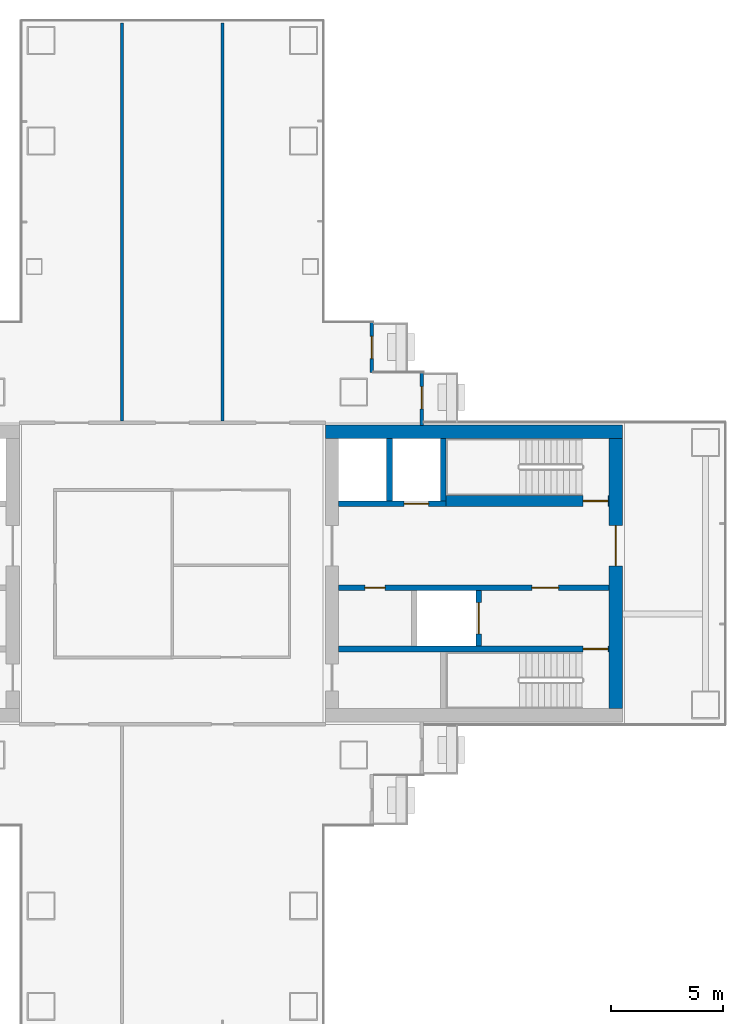
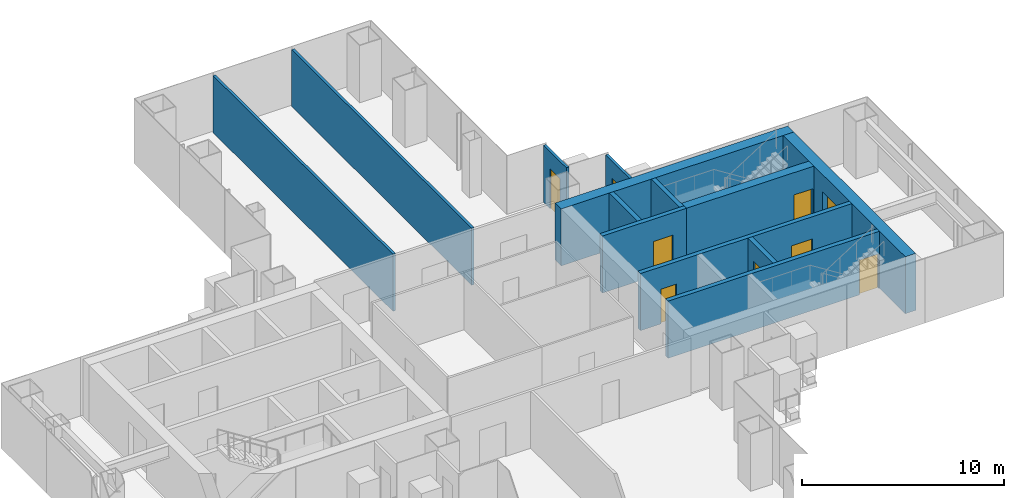
# One storey, part 16 of 20: 13 walls, 9 doors, 9 openings.
"""IFC4 building model written with IfcOpenShell, lengths in metres."""

from ifc_helpers import new_model, si_unit, direction, frame, frame_2d, origin, place, context, subcontext, project, spatial, rectangle, extrude, material, layer, layer_set, type_object, element, fill, save


model = new_model("IFC4")

# Units and contexts
model_context = context("Model", 3, precision=1e-05, world=origin(), true_north=direction((0.0, 1.0)))
body_context = subcontext(model_context, "Body", "Model", "MODEL_VIEW")
ifc_project = project(units=[si_unit("LENGTHUNIT", "METRE"), si_unit("AREAUNIT", "SQUARE_METRE"), si_unit("VOLUMEUNIT", "CUBIC_METRE"), si_unit("PLANEANGLEUNIT", "RADIAN"), si_unit("MASSUNIT", "GRAM", prefix="KILO")], contexts=[model_context])

# Site, building, storey
site_placement = place(None, origin())
site = spatial("IfcSite", under=ifc_project, at=site_placement, CompositionType="ELEMENT")
building_placement = place(site_placement, origin())
building = spatial("IfcBuilding", under=site, at=building_placement, Name="Shamsa Quay Exchange Towers", CompositionType="ELEMENT")
storey_placement = place(building_placement, frame((0.0, 0.0, 124.800048828125)))
storey = spatial("IfcBuildingStorey", under=building, at=storey_placement, Name="L29", CompositionType="ELEMENT", Elevation=124.800048828125)

# Wall, opening, door
ifc_material_1 = material(Name="Aluminium EN AW-6063 T6, black anodised, with black enamelled glass infill", Category="aluminium")
ifc_layer_1 = layer(ifc_material_1, 0.14990234375)
ifc_layer_set_1 = layer_set([ifc_layer_1], Name="BALCONY DOOR BAY WALL 150")
wall_type_1 = type_object("IfcWallType", Name="BALCONY DOOR BAY WALL 150", PredefinedType="SOLIDWALL", material=ifc_layer_set_1)
wall_1_placement = place(storey_placement, frame((42.675048828125, 11.25, 0.0), z_axis=(0.0, 0.0, 1.0), x_axis=(0.0, -1.0, 0.0)))
wall_1 = element("IfcWall", 1, at=wall_1_placement, inside=storey, type_object=wall_type_1, Name="Door bay T2-PKES L29", PredefinedType="SOLIDWALL", context=body_context, shape_type="SweptSolid", body=[
    extrude(rectangle(XDim=2.25, YDim=0.14990234375, at=frame_2d((1.125, 0.0))), origin(), (0.0, 0.0, 1.0), 3.449951171875),
])
opening_1_placement = place(wall_1_placement, frame((0.625, 0.0, 0.0)))
opening_1 = element("IfcOpeningElement", 2, at=opening_1_placement, cuts=wall_1, Name="Opening XD195", PredefinedType="OPENING", context=body_context, shape_type="SweptSolid", body=[
    extrude(rectangle(XDim=1.0, YDim=2.39990234375, at=frame_2d((0.5, 1.199951171875))), frame((0.0, 0.0849609375, 0.0), z_axis=(0.0, -1.0, 0.0), x_axis=(1.0, 0.0, 0.0)), (0.0, 0.0, 1.0), 0.169921875),
])
ifc_material_2 = material(Name="Aluminium EN AW-6063 T6, black anodised, with laminated glass leaf", Category="aluminium")
door_type_1 = type_object("IfcDoorType", Name="BALCONY DOOR 1000x2400", OperationType="SINGLE_SWING_LEFT", PredefinedType="DOOR", material=ifc_material_2)
door_1_placement = place(opening_1_placement, origin())
door_1 = element("IfcDoor", 3, at=door_1_placement, inside=storey, type_object=door_type_1, Name="Balcony door T2-PKES L29", OperationType="SINGLE_SWING_RIGHT", OverallHeight=2.39990234375, OverallWidth=1.0, PredefinedType="DOOR", context=body_context, shape_type="SweptSolid", body=[
    extrude(rectangle(XDim=1.0, YDim=2.39990234375, at=frame_2d((0.5, 1.199951171875))), frame((0.0, 0.02490234375, 0.0), z_axis=(0.0, -1.0, 0.0), x_axis=(1.0, 0.0, 0.0)), (0.0, 0.0, 1.0), 0.050048828125),
])
fill(opening_1, door_1)

wall_2_placement = place(storey_placement, frame((44.925048828125, 9.0, 0.0), z_axis=(0.0, 0.0, 1.0), x_axis=(0.0, -1.0, 0.0)))
wall_2 = element("IfcWall", 4, at=wall_2_placement, inside=storey, type_object=wall_type_1, Name="Door bay T2-PKES L29", PredefinedType="SOLIDWALL", context=body_context, shape_type="SweptSolid", body=[
    extrude(rectangle(XDim=2.35693359375, YDim=0.14990234375, at=frame_2d((1.178466796875, 0.0))), origin(), (0.0, 0.0, 1.0), 3.449951171875),
])
opening_2_placement = place(wall_2_placement, frame((0.625, 0.0, 0.0)))
opening_2 = element("IfcOpeningElement", 5, at=opening_2_placement, cuts=wall_2, Name="Opening XD196", PredefinedType="OPENING", context=body_context, shape_type="SweptSolid", body=[
    extrude(rectangle(XDim=1.0, YDim=2.39990234375, at=frame_2d((0.5, 1.199951171875))), frame((0.0, 0.0849609375, 0.0), z_axis=(0.0, -1.0, 0.0), x_axis=(1.0, 0.0, 0.0)), (0.0, 0.0, 1.0), 0.169921875),
])
door_2_placement = place(opening_2_placement, origin())
door_2 = element("IfcDoor", 6, at=door_2_placement, inside=storey, type_object=door_type_1, Name="Balcony door T2-PKES L29", OperationType="SINGLE_SWING_LEFT", OverallHeight=2.39990234375, OverallWidth=1.0, PredefinedType="DOOR", context=body_context, shape_type="SweptSolid", body=[
    extrude(rectangle(XDim=1.0, YDim=2.39990234375, at=frame_2d((0.5, 1.199951171875))), frame((0.0, 0.02490234375, 0.0), z_axis=(0.0, -1.0, 0.0), x_axis=(1.0, 0.0, 0.0)), (0.0, 0.0, 1.0), 0.050048828125),
])
fill(opening_2, door_2)

# Wall
ifc_material_3 = material(Name="Concrete C70/85", Category="concrete")
ifc_layer_2 = layer(ifc_material_3, 0.60009765625)
ifc_layer_set_2 = layer_set([ifc_layer_2], Name="CORE WALL 600 C70/85")
wall_type_2 = type_object("IfcWallType", Name="CORE WALL 600 C70/85", PredefinedType="SHEAR", material=ifc_layer_set_2)
wall_3_placement = place(storey_placement, frame((53.89990234375, 6.35009765625, 0.0), z_axis=(0.0, 0.0, 1.0), x_axis=(-1.0, 0.0, 0.0)))
element("IfcWall", 7, at=wall_3_placement, inside=storey, type_object=wall_type_2, Name="Core wall T2B-R13-PN", PredefinedType="SHEAR", context=body_context, shape_type="SweptSolid", body=[
    extrude(rectangle(XDim=13.2998046875, YDim=0.60009765625, at=frame_2d((6.64990234375, 0.0))), origin(), (0.0, 0.0, 1.0), 3.449951171875),
])

# Wall, opening, door
wall_4_placement = place(storey_placement, frame((53.60009765625, -6.050048828125, 0.0), z_axis=(0.0, 0.0, 1.0), x_axis=(0.0, 1.0, 0.0)))
wall_4 = element("IfcWall", 8, at=wall_4_placement, inside=storey, type_object=wall_type_2, Name="Core wall T2B-R13-PF", PredefinedType="SHEAR", context=body_context, shape_type="SweptSolid", body=[
    extrude(rectangle(XDim=12.10009765625, YDim=0.60009765625, at=frame_2d((6.050048828125, 0.0))), origin(), (0.0, 0.0, 1.0), 3.449951171875),
])
opening_3_placement = place(wall_4_placement, frame((6.39990234375, 0.0, 0.0)))
opening_3 = element("IfcOpeningElement", 9, at=opening_3_placement, cuts=wall_4, Name="Opening T2B-R13-LBD01", PredefinedType="OPENING", context=body_context, shape_type="SweptSolid", body=[
    extrude(rectangle(XDim=1.800048828125, YDim=2.39990234375, at=frame_2d((0.89990234375, 1.199951171875))), frame((0.0, 0.31005859375, 0.0), z_axis=(0.0, -1.0, 0.0), x_axis=(1.0, 0.0, 0.0)), (0.0, 0.0, 1.0), 0.6201171875),
])
ifc_material_4 = material(Name="Steel, fire rated", Category="steel")
door_type_2 = type_object("IfcDoorType", Name="LIFT LOBBY DOOR PAIR 1800", OperationType="DOUBLE_DOOR_SINGLE_SWING", PredefinedType="DOOR", material=ifc_material_4)
door_3_placement = place(opening_3_placement, origin())
door_3 = element("IfcDoor", 10, at=door_3_placement, inside=storey, type_object=door_type_2, Name="T2B-R13-LBD01", OperationType="DOUBLE_DOOR_SINGLE_SWING", OverallHeight=2.39990234375, OverallWidth=1.800048828125, PredefinedType="DOOR", context=body_context, shape_type="SweptSolid", body=[
    extrude(rectangle(XDim=1.800048828125, YDim=2.39990234375, at=frame_2d((0.89990234375, 1.199951171875))), frame((0.0, 0.02490234375, 0.0), z_axis=(0.0, -1.0, 0.0), x_axis=(1.0, 0.0, 0.0)), (0.0, 0.0, 1.0), 0.050048828125),
])
fill(opening_3, door_3)

# Walls
ifc_material_5 = material(Name="Gypsum board partition on metal studs")
ifc_layer_3 = layer(ifc_material_5, 0.14990234375)
ifc_layer_set_3 = layer_set([ifc_layer_3], Name="Partition 150 mm EI 60")
wall_type_3 = type_object("IfcWallType", Name="Partition 150 mm EI 60", PredefinedType="PARTITIONING", material=ifc_layer_set_3)
for number, where, z_axis, x_axis, name in (
    (11, (36.0, 24.655029296875, 0.0), (0.0, 0.0, 1.0), (0.0, -1.0, 0.0), "Partition T2-R13-W11"),
    (12, (31.5, 24.655029296875, 0.0), (0.0, 0.0, 1.0), (0.0, -1.0, 0.0), "Partition T2-R13-W13"),
):
    element("IfcWall", number, at=place(storey_placement, frame(where, z_axis=z_axis, x_axis=x_axis)), inside=storey, type_object=wall_type_3, Name=name, PredefinedType="PARTITIONING", context=body_context, shape_type="SweptSolid", body=[
        extrude(rectangle(XDim=17.830078125, YDim=0.14990234375, at=frame_2d((8.9150390625, 0.0))), origin(), (0.0, 0.0, 1.0), 3.449951171875),
    ])

# Wall, opening, door
ifc_material_6 = material(Name="Concrete C50/60", Category="concrete")
ifc_layer_4 = layer(ifc_material_6, 0.25)
ifc_layer_set_4 = layer_set([ifc_layer_4], Name="SHAFT WALL 250 C50/60")
wall_type_4 = type_object("IfcWallType", Name="SHAFT WALL 250 C50/60", PredefinedType="SHEAR", material=ifc_layer_set_4)
wall_5_placement = place(storey_placement, frame((53.300048828125, -3.375, 0.0), z_axis=(0.0, 0.0, 1.0), x_axis=(-1.0, 0.0, 0.0)))
wall_5 = element("IfcWall", 13, at=wall_5_placement, inside=storey, type_object=wall_type_4, Name="Shaft wall T2B-R13-STL", PredefinedType="SHEAR", context=body_context, shape_type="SweptSolid", body=[
    extrude(rectangle(XDim=12.10009765625, YDim=0.25, at=frame_2d((6.050048828125, 0.0))), origin(), (0.0, 0.0, 1.0), 3.449951171875),
])
opening_4_placement = place(wall_5_placement, frame((0.050048828125, 0.0, 0.0)))
opening_4 = element("IfcOpeningElement", 14, at=opening_4_placement, cuts=wall_5, Name="Opening T2B-R13-SD04", PredefinedType="OPENING", context=body_context, shape_type="SweptSolid", body=[
    extrude(rectangle(XDim=1.10009765625, YDim=2.10009765625, at=frame_2d((0.550048828125, 1.050048828125))), frame((0.0, 0.135009765625, 0.0), z_axis=(0.0, -1.0, 0.0), x_axis=(1.0, 0.0, 0.0)), (0.0, 0.0, 1.0), 0.27001953125),
])
door_type_3 = type_object("IfcDoorType", Name="STAIR DOOR 1100", OperationType="SINGLE_SWING_LEFT", PredefinedType="DOOR", material=ifc_material_4)
door_4_placement = place(opening_4_placement, origin())
door_4 = element("IfcDoor", 15, at=door_4_placement, inside=storey, type_object=door_type_3, Name="T2B-R13-SD04", OperationType="SINGLE_SWING_LEFT", OverallHeight=2.10009765625, OverallWidth=1.10009765625, PredefinedType="DOOR", context=body_context, shape_type="SweptSolid", body=[
    extrude(rectangle(XDim=1.10009765625, YDim=2.10009765625, at=frame_2d((0.550048828125, 1.050048828125))), frame((0.0, 0.02490234375, 0.0), z_axis=(0.0, -1.0, 0.0), x_axis=(1.0, 0.0, 0.0)), (0.0, 0.0, 1.0), 0.050048828125),
])
fill(opening_4, door_4)

# Wall, openings, doors
wall_6_placement = place(storey_placement, frame((53.300048828125, -0.625, 0.0), z_axis=(0.0, 0.0, 1.0), x_axis=(-1.0, 0.0, 0.0)))
wall_6 = element("IfcWall", 16, at=wall_6_placement, inside=storey, type_object=wall_type_4, Name="Shaft wall T2B-R13-B", PredefinedType="SHEAR", context=body_context, shape_type="SweptSolid", body=[
    extrude(rectangle(XDim=12.10009765625, YDim=0.25, at=frame_2d((6.050048828125, 0.0))), origin(), (0.0, 0.0, 1.0), 3.449951171875),
])
opening_5_placement = place(wall_6_placement, frame((2.25, 0.0, 0.0)))
opening_5 = element("IfcOpeningElement", 17, at=opening_5_placement, cuts=wall_6, Name="Opening T2B-R13-FD05", PredefinedType="OPENING", context=body_context, shape_type="SweptSolid", body=[
    extrude(rectangle(XDim=1.199951171875, YDim=2.10009765625, at=frame_2d((0.60009765625, 1.050048828125))), frame((0.0, 0.135009765625, 0.0), z_axis=(0.0, -1.0, 0.0), x_axis=(1.0, 0.0, 0.0)), (0.0, 0.0, 1.0), 0.27001953125),
])
opening_6_placement = place(wall_6_placement, frame((10.02490234375, 0.0, 0.0)))
opening_6 = element("IfcOpeningElement", 18, at=opening_6_placement, cuts=wall_6, Name="Opening T2B-R13-SV06", PredefinedType="OPENING", context=body_context, shape_type="SweptSolid", body=[
    extrude(rectangle(XDim=0.89990234375, YDim=2.10009765625, at=frame_2d((0.449951171875, 1.050048828125))), frame((0.0, 0.135009765625, 0.0), z_axis=(0.0, -1.0, 0.0), x_axis=(1.0, 0.0, 0.0)), (0.0, 0.0, 1.0), 0.27001953125),
])
door_type_4 = type_object("IfcDoorType", Name="FIRE SERVICE LOBBY DOOR 1200", OperationType="SINGLE_SWING_LEFT", PredefinedType="DOOR", material=ifc_material_4)
door_5_placement = place(opening_5_placement, origin())
door_5 = element("IfcDoor", 19, at=door_5_placement, inside=storey, type_object=door_type_4, Name="T2B-R13-FD05", OperationType="SINGLE_SWING_LEFT", OverallHeight=2.10009765625, OverallWidth=1.199951171875, PredefinedType="DOOR", context=body_context, shape_type="SweptSolid", body=[
    extrude(rectangle(XDim=1.199951171875, YDim=2.10009765625, at=frame_2d((0.60009765625, 1.050048828125))), frame((0.0, 0.02490234375, 0.0), z_axis=(0.0, -1.0, 0.0), x_axis=(1.0, 0.0, 0.0)), (0.0, 0.0, 1.0), 0.050048828125),
])
fill(opening_5, door_5)
door_type_5 = type_object("IfcDoorType", Name="SERVICE ROOM DOOR 900", OperationType="SINGLE_SWING_LEFT", PredefinedType="DOOR", material=ifc_material_4)
door_6_placement = place(opening_6_placement, origin())
door_6 = element("IfcDoor", 20, at=door_6_placement, inside=storey, type_object=door_type_5, Name="T2B-R13-SV06", OperationType="SINGLE_SWING_RIGHT", OverallHeight=2.10009765625, OverallWidth=0.89990234375, PredefinedType="DOOR", context=body_context, shape_type="SweptSolid", body=[
    extrude(rectangle(XDim=0.89990234375, YDim=2.10009765625, at=frame_2d((0.449951171875, 1.050048828125))), frame((0.0, 0.02490234375, 0.0), z_axis=(0.0, -1.0, 0.0), x_axis=(1.0, 0.0, 0.0)), (0.0, 0.0, 1.0), 0.050048828125),
])
fill(opening_6, door_6)

# Wall, opening, door
wall_7_placement = place(storey_placement, frame((47.47509765625, -3.25, 0.0), z_axis=(0.0, 0.0, 1.0), x_axis=(0.0, 1.0, 0.0)))
wall_7 = element("IfcWall", 21, at=wall_7_placement, inside=storey, type_object=wall_type_4, Name="Shaft wall T2B-R13-FFF", PredefinedType="SHEAR", context=body_context, shape_type="SweptSolid", body=[
    extrude(rectangle(XDim=2.5, YDim=0.25, at=frame_2d((1.25, 0.0))), origin(), (0.0, 0.0, 1.0), 3.449951171875),
])
opening_7_placement = place(wall_7_placement, frame((0.550048828125, 0.0, 0.0)))
opening_7 = element("IfcOpeningElement", 22, at=opening_7_placement, cuts=wall_7, Name="Opening T2B-R13-LDG07", PredefinedType="OPENING", context=body_context, shape_type="SweptSolid", body=[
    extrude(rectangle(XDim=1.39990234375, YDim=2.39990234375, at=frame_2d((0.699951171875, 1.199951171875))), frame((0.0, 0.135009765625, 0.0), z_axis=(0.0, -1.0, 0.0), x_axis=(1.0, 0.0, 0.0)), (0.0, 0.0, 1.0), 0.27001953125),
])
door_type_6 = type_object("IfcDoorType", Name="GOODS LIFT LANDING DOOR 1400", OperationType="SLIDING_TO_LEFT", PredefinedType="DOOR", material=ifc_material_4)
door_7_placement = place(opening_7_placement, origin())
door_7 = element("IfcDoor", 23, at=door_7_placement, inside=storey, type_object=door_type_6, Name="T2B-R13-LDG07", OperationType="SLIDING_TO_LEFT", OverallHeight=2.39990234375, OverallWidth=1.39990234375, PredefinedType="DOOR", context=body_context, shape_type="SweptSolid", body=[
    extrude(rectangle(XDim=1.39990234375, YDim=2.39990234375, at=frame_2d((0.699951171875, 1.199951171875))), frame((0.0, 0.02490234375, 0.0), z_axis=(0.0, -1.0, 0.0), x_axis=(1.0, 0.0, 0.0)), (0.0, 0.0, 1.0), 0.050048828125),
])
fill(opening_7, door_7)

wall_8_placement = place(storey_placement, frame((46.0, 3.125, 0.0), z_axis=(0.0, 0.0, 1.0), x_axis=(-1.0, 0.0, 0.0)))
wall_8 = element("IfcWall", 24, at=wall_8_placement, inside=storey, type_object=wall_type_4, Name="Shaft wall T2B-R13-N2", PredefinedType="SHEAR", context=body_context, shape_type="SweptSolid", body=[
    extrude(rectangle(XDim=4.800048828125, YDim=0.25, at=frame_2d((2.39990234375, 0.0))), origin(), (0.0, 0.0, 1.0), 3.449951171875),
])
opening_8_placement = place(wall_8_placement, frame((0.77490234375, 0.0, 0.0)))
opening_8 = element("IfcOpeningElement", 25, at=opening_8_placement, cuts=wall_8, Name="Opening T2B-R13-LD09", PredefinedType="OPENING", context=body_context, shape_type="SweptSolid", body=[
    extrude(rectangle(XDim=1.10009765625, YDim=2.10009765625, at=frame_2d((0.550048828125, 1.050048828125))), frame((0.0, 0.135009765625, 0.0), z_axis=(0.0, -1.0, 0.0), x_axis=(1.0, 0.0, 0.0)), (0.0, 0.0, 1.0), 0.27001953125),
])
door_type_7 = type_object("IfcDoorType", Name="LANDING DOOR 1100", OperationType="SLIDING_TO_LEFT", PredefinedType="DOOR", material=ifc_material_4)
door_8_placement = place(opening_8_placement, origin())
door_8 = element("IfcDoor", 26, at=door_8_placement, inside=storey, type_object=door_type_7, Name="T2B-R13-LD09", OperationType="SLIDING_TO_LEFT", OverallHeight=2.10009765625, OverallWidth=1.10009765625, PredefinedType="DOOR", context=body_context, shape_type="SweptSolid", body=[
    extrude(rectangle(XDim=1.10009765625, YDim=2.10009765625, at=frame_2d((0.550048828125, 1.050048828125))), frame((0.0, 0.02490234375, 0.0), z_axis=(0.0, -1.0, 0.0), x_axis=(1.0, 0.0, 0.0)), (0.0, 0.0, 1.0), 0.050048828125),
])
fill(opening_8, door_8)

# Walls
for number, where, z_axis, x_axis, name in (
    (27, (45.875, 3.25, 0.0), (0.0, 0.0, 1.0), (0.0, 1.0, 0.0), "Shaft wall T2B-R13-STF2"),
    (28, (43.47509765625, 3.25, 0.0), (0.0, 0.0, 1.0), (0.0, 1.0, 0.0), "Shaft wall T2B-R13-D0"),
):
    element("IfcWall", number, at=place(storey_placement, frame(where, z_axis=z_axis, x_axis=x_axis)), inside=storey, type_object=wall_type_4, Name=name, PredefinedType="SHEAR", context=body_context, shape_type="SweptSolid", body=[
        extrude(rectangle(XDim=2.800048828125, YDim=0.25, at=frame_2d((1.39990234375, 0.0))), origin(), (0.0, 0.0, 1.0), 3.449951171875),
    ])

# Wall, opening, door
ifc_layer_5 = layer(ifc_material_6, 0.5)
ifc_layer_set_5 = layer_set([ifc_layer_5], Name="SHAFT WALL 500 C50/60")
wall_type_5 = type_object("IfcWallType", Name="SHAFT WALL 500 C50/60", PredefinedType="SHEAR", material=ifc_layer_set_5)
wall_9_placement = place(storey_placement, frame((46.0, 3.25, 0.0)))
wall_9 = element("IfcWall", 29, at=wall_9_placement, inside=storey, type_object=wall_type_5, Name="Shaft wall T2B-R13-N", PredefinedType="SHEAR", context=body_context, shape_type="SweptSolid", body=[
    extrude(rectangle(XDim=7.300048828125, YDim=0.5, at=frame_2d((3.64990234375, 0.0))), origin(), (0.0, 0.0, 1.0), 3.449951171875),
])
opening_9_placement = place(wall_9_placement, frame((6.14990234375, 0.0, 0.0)))
opening_9 = element("IfcOpeningElement", 30, at=opening_9_placement, cuts=wall_9, Name="Opening T2B-R13-SD08", PredefinedType="OPENING", context=body_context, shape_type="SweptSolid", body=[
    extrude(rectangle(XDim=1.10009765625, YDim=2.10009765625, at=frame_2d((0.550048828125, 1.050048828125))), frame((0.0, 0.260009765625, 0.0), z_axis=(0.0, -1.0, 0.0), x_axis=(1.0, 0.0, 0.0)), (0.0, 0.0, 1.0), 0.52001953125),
])
door_9_placement = place(opening_9_placement, origin())
door_9 = element("IfcDoor", 31, at=door_9_placement, inside=storey, type_object=door_type_3, Name="T2B-R13-SD08", OperationType="SINGLE_SWING_RIGHT", OverallHeight=2.10009765625, OverallWidth=1.10009765625, PredefinedType="DOOR", context=body_context, shape_type="SweptSolid", body=[
    extrude(rectangle(XDim=1.10009765625, YDim=2.10009765625, at=frame_2d((0.550048828125, 1.050048828125))), frame((0.0, 0.02490234375, 0.0), z_axis=(0.0, -1.0, 0.0), x_axis=(1.0, 0.0, 0.0)), (0.0, 0.0, 1.0), 0.050048828125),
])
fill(opening_9, door_9)

save(model, "model.ifc")
